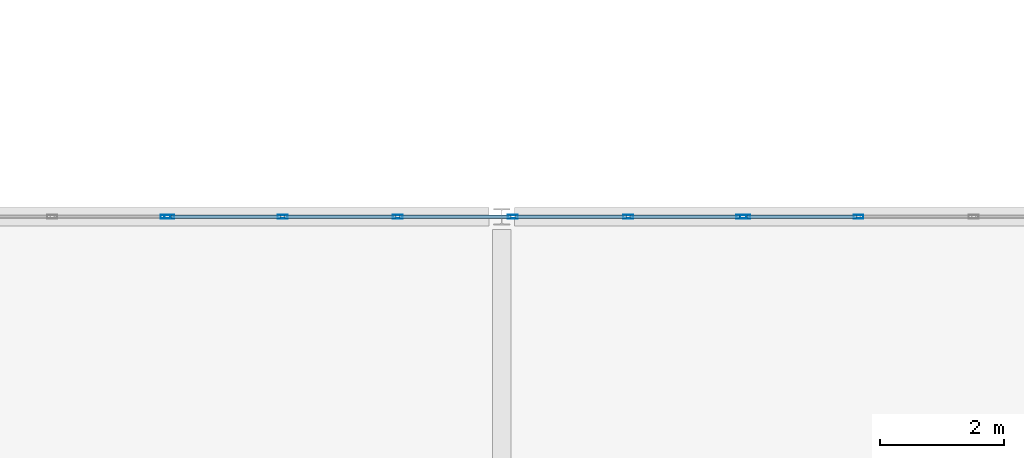
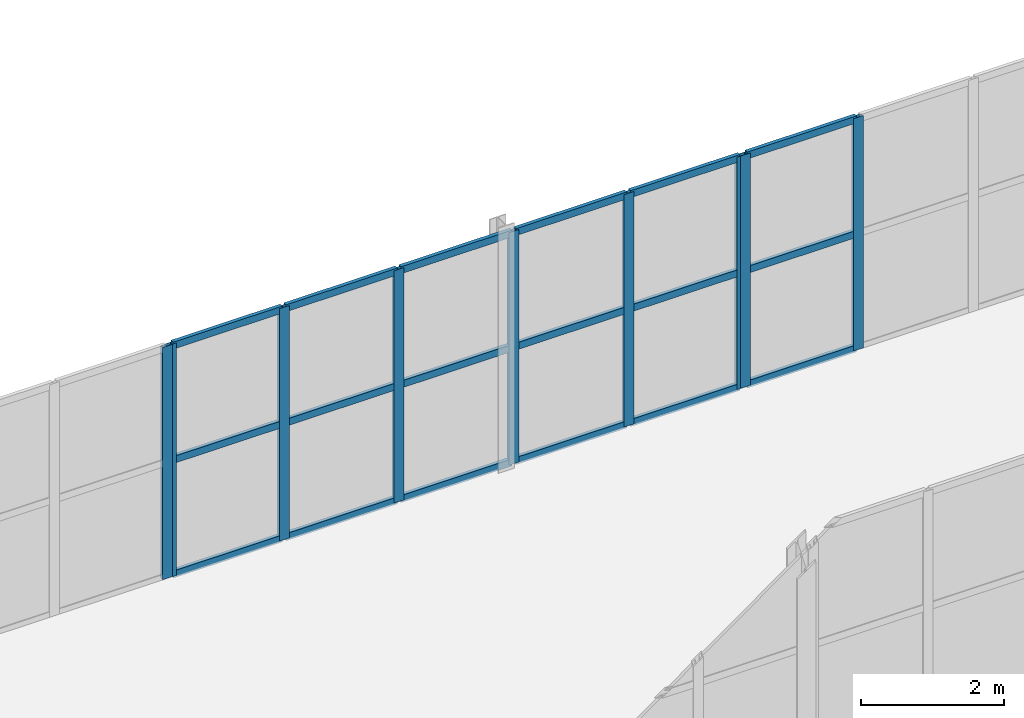
# One storey, part 63 of 121: 27 members, 3 elements without a shape of their own.
"""IFC4 building model written with IfcOpenShell, lengths in metres."""

from ifc_helpers import new_model, si_unit, direction, frame, origin, origin_2d, place, context, subcontext, project, spatial, hollow_rectangle, extrude, material, layer, layer_set, material_profile, profile_set, type_object, element, aggregate, save


model = new_model("IFC4")

# Units and contexts
model_context = context("Model", 3, precision=1e-05, world=origin(), true_north=direction((0.0, 1.0)))
body_context = subcontext(model_context, "Body", "Model", "MODEL_VIEW")
ifc_project = project(units=[si_unit("LENGTHUNIT", "METRE"), si_unit("AREAUNIT", "SQUARE_METRE"), si_unit("VOLUMEUNIT", "CUBIC_METRE"), si_unit("PLANEANGLEUNIT", "RADIAN"), si_unit("MASSUNIT", "GRAM", prefix="KILO")], contexts=[model_context])

# Site, building, storey
site_placement = place(None, origin())
site = spatial("IfcSite", under=ifc_project, at=site_placement, CompositionType="ELEMENT")
building_placement = place(site_placement, origin())
building = spatial("IfcBuilding", under=site, at=building_placement, Name="Vinh Khe Railworks Police Headquarters", CompositionType="ELEMENT")
storey_placement = place(building_placement, frame((0.0, 0.0, 4.800048828125)))
storey = spatial("IfcBuildingStorey", under=building, at=storey_placement, Name="L01", CompositionType="ELEMENT", Elevation=4.800048828125)

# Curtain wall, member
ifc_material_1 = material(Name="Anodised aluminium and solar-control glass", Category="aluminium")
ifc_layer = layer(ifc_material_1, 0.159912109375)
ifc_layer_set = layer_set([ifc_layer], Name="Anodised aluminium and solar-control glass")
curtain_wall_type = type_object("IfcCurtainWallType", Name="CW-SHOPFRONT", PredefinedType="USERDEFINED", material=ifc_layer_set)
curtain_wall_1_placement = place(storey_placement, origin())
curtain_wall_1 = element("IfcCurtainWall", 1, at=curtain_wall_1_placement, inside=storey, type_object=curtain_wall_type, Name="Link Bridge North Glazing L01 Bay 2", ObjectType="UNITISED GLAZING", PredefinedType="USERDEFINED")
ifc_material_2 = material(Name="Anodised aluminium 6063-T6", Category="aluminium")
ifc_material_profile_1 = material_profile(ifc_material_2, hollow_rectangle(XDim=0.06005859375, YDim=0.159912109375, WallThickness=0.00390625, at=origin_2d()), Name="CW-M 60x160x4")
ifc_profile_set_1 = profile_set([ifc_material_profile_1], Name="Anodised aluminium 6063-T6")
member_type_1 = type_object("IfcMemberType", Name="MULL-CWM-01", PredefinedType="MULLION", material=ifc_profile_set_1)
member_1_placement = place(storey_placement, frame((40.77001953125, 104.39990234375, 0.0), z_axis=(0.0, 0.0, 1.0), x_axis=(0.0, 1.0, 0.0)))
member_1 = element("IfcMember", 2, at=member_1_placement, type_object=member_type_1, Name="CW-03 mullion 6", PredefinedType="MULLION", context=body_context, shape_type="SweptSolid", body=[
    extrude(hollow_rectangle(XDim=0.06005859375, YDim=0.159912109375, WallThickness=0.00390625, at=origin_2d()), origin(), (0.0, 0.0, 1.0), 3.97998046875),
])
aggregate(curtain_wall_1, [member_1])

# Curtain wall, members
curtain_wall_2_placement = place(storey_placement, origin())
curtain_wall_2 = element("IfcCurtainWall", 3, at=curtain_wall_2_placement, inside=storey, type_object=curtain_wall_type, Name="Link Bridge North Glazing L01 Bay 3", ObjectType="UNITISED GLAZING", PredefinedType="USERDEFINED")
member_2_placement = place(storey_placement, frame((40.830078125, 104.39990234375, 0.0), z_axis=(0.0, 0.0, 1.0), x_axis=(0.0, 1.0, 0.0)))
member_2 = element("IfcMember", 4, at=member_2_placement, type_object=member_type_1, Name="CW-03 mullion 1", PredefinedType="MULLION", context=body_context, shape_type="SweptSolid", body=[
    extrude(hollow_rectangle(XDim=0.06005859375, YDim=0.159912109375, WallThickness=0.00390625, at=origin_2d()), origin(), (0.0, 0.0, 1.0), 3.97998046875),
])
member_3_placement = place(storey_placement, frame((42.659912109375, 104.39990234375, 0.0), z_axis=(0.0, 0.0, 1.0), x_axis=(0.0, 1.0, 0.0)))
member_3 = element("IfcMember", 5, at=member_3_placement, type_object=member_type_1, Name="CW-03 mullion 2", PredefinedType="MULLION", context=body_context, shape_type="SweptSolid", body=[
    extrude(hollow_rectangle(XDim=0.06005859375, YDim=0.159912109375, WallThickness=0.00390625, at=origin_2d()), origin(), (0.0, 0.0, 1.0), 3.97998046875),
])
member_4_placement = place(storey_placement, frame((44.52001953125, 104.39990234375, 0.0), z_axis=(0.0, 0.0, 1.0), x_axis=(0.0, 1.0, 0.0)))
member_4 = element("IfcMember", 6, at=member_4_placement, type_object=member_type_1, Name="CW-03 mullion 3", PredefinedType="MULLION", context=body_context, shape_type="SweptSolid", body=[
    extrude(hollow_rectangle(XDim=0.06005859375, YDim=0.159912109375, WallThickness=0.00390625, at=origin_2d()), origin(), (0.0, 0.0, 1.0), 3.97998046875),
])
member_5_placement = place(storey_placement, frame((46.3798828125, 104.39990234375, 0.0), z_axis=(0.0, 0.0, 1.0), x_axis=(0.0, 1.0, 0.0)))
member_5 = element("IfcMember", 7, at=member_5_placement, type_object=member_type_1, Name="CW-03 mullion 4", PredefinedType="MULLION", context=body_context, shape_type="SweptSolid", body=[
    extrude(hollow_rectangle(XDim=0.06005859375, YDim=0.159912109375, WallThickness=0.00390625, at=origin_2d()), origin(), (0.0, 0.0, 1.0), 3.97998046875),
])
member_6_placement = place(storey_placement, frame((48.239990234375, 104.39990234375, 0.0), z_axis=(0.0, 0.0, 1.0), x_axis=(0.0, 1.0, 0.0)))
member_6 = element("IfcMember", 8, at=member_6_placement, type_object=member_type_1, Name="CW-03 mullion 5", PredefinedType="MULLION", context=body_context, shape_type="SweptSolid", body=[
    extrude(hollow_rectangle(XDim=0.06005859375, YDim=0.159912109375, WallThickness=0.00390625, at=origin_2d()), origin(), (0.0, 0.0, 1.0), 3.97998046875),
])
member_7_placement = place(storey_placement, frame((50.070068359375, 104.39990234375, 0.0), z_axis=(0.0, 0.0, 1.0), x_axis=(0.0, 1.0, 0.0)))
member_7 = element("IfcMember", 9, at=member_7_placement, type_object=member_type_1, Name="CW-03 mullion 6", PredefinedType="MULLION", context=body_context, shape_type="SweptSolid", body=[
    extrude(hollow_rectangle(XDim=0.06005859375, YDim=0.159912109375, WallThickness=0.00390625, at=origin_2d()), origin(), (0.0, 0.0, 1.0), 3.97998046875),
])

curtain_wall_3_placement = place(storey_placement, origin())
curtain_wall_3 = element("IfcCurtainWall", 10, at=curtain_wall_3_placement, inside=storey, type_object=curtain_wall_type, Name="Link Bridge North Glazing L01 Bay 4", ObjectType="UNITISED GLAZING", PredefinedType="USERDEFINED")
member_8_placement = place(storey_placement, frame((50.1298828125, 104.39990234375, 0.0), z_axis=(0.0, 0.0, 1.0), x_axis=(0.0, 1.0, 0.0)))
member_8 = element("IfcMember", 11, at=member_8_placement, type_object=member_type_1, Name="CW-03 mullion 1", PredefinedType="MULLION", context=body_context, shape_type="SweptSolid", body=[
    extrude(hollow_rectangle(XDim=0.06005859375, YDim=0.159912109375, WallThickness=0.00390625, at=origin_2d()), origin(), (0.0, 0.0, 1.0), 3.97998046875),
])
member_9_placement = place(storey_placement, frame((51.9599609375, 104.39990234375, 0.0), z_axis=(0.0, 0.0, 1.0), x_axis=(0.0, 1.0, 0.0)))
member_9 = element("IfcMember", 12, at=member_9_placement, type_object=member_type_1, Name="CW-03 mullion 2", PredefinedType="MULLION", context=body_context, shape_type="SweptSolid", body=[
    extrude(hollow_rectangle(XDim=0.06005859375, YDim=0.159912109375, WallThickness=0.00390625, at=origin_2d()), origin(), (0.0, 0.0, 1.0), 3.97998046875),
])

# Member
ifc_material_profile_2 = material_profile(ifc_material_2, hollow_rectangle(XDim=0.06005859375, YDim=0.1201171875, WallThickness=0.00390625, at=origin_2d()), Name="CW-T 60x120x4")
ifc_profile_set_2 = profile_set([ifc_material_profile_2], Name="Anodised aluminium 6063-T6")
member_type_2 = type_object("IfcMemberType", Name="TRAN-CWT-01", PredefinedType="USERDEFINED", material=ifc_profile_set_2)
member_10_placement = place(storey_placement, frame((40.860107421875, 104.39990234375, 0.030029296875), z_axis=(1.0, 0.0, 0.0), x_axis=(0.0, 1.0, 0.0)))
member_10 = element("IfcMember", 13, at=member_10_placement, type_object=member_type_2, Name="CW-03 transom 1.1", ObjectType="TRANSOM", PredefinedType="USERDEFINED", context=body_context, shape_type="SweptSolid", body=[
    extrude(hollow_rectangle(XDim=0.06005859375, YDim=0.1201171875, WallThickness=0.00390625, at=origin_2d()), origin(), (0.0, 0.0, 1.0), 1.769775390625),
])

member_11_placement = place(storey_placement, frame((40.860107421875, 104.39990234375, 1.989990234375), z_axis=(1.0, 0.0, 0.0), x_axis=(0.0, 1.0, 0.0)))
member_11 = element("IfcMember", 14, at=member_11_placement, type_object=member_type_2, Name="CW-03 transom 1.2", ObjectType="TRANSOM", PredefinedType="USERDEFINED", context=body_context, shape_type="SweptSolid", body=[
    extrude(hollow_rectangle(XDim=0.06005859375, YDim=0.1201171875, WallThickness=0.00390625, at=origin_2d()), origin(), (0.0, 0.0, 1.0), 1.769775390625),
])

member_12_placement = place(storey_placement, frame((40.860107421875, 104.39990234375, 3.949951171875), z_axis=(1.0, 0.0, 0.0), x_axis=(0.0, 1.0, 0.0)))
member_12 = element("IfcMember", 15, at=member_12_placement, type_object=member_type_2, Name="CW-03 transom 1.3", ObjectType="TRANSOM", PredefinedType="USERDEFINED", context=body_context, shape_type="SweptSolid", body=[
    extrude(hollow_rectangle(XDim=0.06005859375, YDim=0.1201171875, WallThickness=0.00390625, at=origin_2d()), origin(), (0.0, 0.0, 1.0), 1.769775390625),
])

member_13_placement = place(storey_placement, frame((42.68994140625, 104.39990234375, 0.030029296875), z_axis=(1.0, 0.0, 0.0), x_axis=(0.0, 1.0, 0.0)))
member_13 = element("IfcMember", 16, at=member_13_placement, type_object=member_type_2, Name="CW-03 transom 2.1", ObjectType="TRANSOM", PredefinedType="USERDEFINED", context=body_context, shape_type="SweptSolid", body=[
    extrude(hollow_rectangle(XDim=0.06005859375, YDim=0.1201171875, WallThickness=0.00390625, at=origin_2d()), origin(), (0.0, 0.0, 1.0), 1.800048828125),
])

member_14_placement = place(storey_placement, frame((42.68994140625, 104.39990234375, 1.989990234375), z_axis=(1.0, 0.0, 0.0), x_axis=(0.0, 1.0, 0.0)))
member_14 = element("IfcMember", 17, at=member_14_placement, type_object=member_type_2, Name="CW-03 transom 2.2", ObjectType="TRANSOM", PredefinedType="USERDEFINED", context=body_context, shape_type="SweptSolid", body=[
    extrude(hollow_rectangle(XDim=0.06005859375, YDim=0.1201171875, WallThickness=0.00390625, at=origin_2d()), origin(), (0.0, 0.0, 1.0), 1.800048828125),
])

member_15_placement = place(storey_placement, frame((42.68994140625, 104.39990234375, 3.949951171875), z_axis=(1.0, 0.0, 0.0), x_axis=(0.0, 1.0, 0.0)))
member_15 = element("IfcMember", 18, at=member_15_placement, type_object=member_type_2, Name="CW-03 transom 2.3", ObjectType="TRANSOM", PredefinedType="USERDEFINED", context=body_context, shape_type="SweptSolid", body=[
    extrude(hollow_rectangle(XDim=0.06005859375, YDim=0.1201171875, WallThickness=0.00390625, at=origin_2d()), origin(), (0.0, 0.0, 1.0), 1.800048828125),
])

member_16_placement = place(storey_placement, frame((44.550048828125, 104.39990234375, 0.030029296875), z_axis=(1.0, 0.0, 0.0), x_axis=(0.0, 1.0, 0.0)))
member_16 = element("IfcMember", 19, at=member_16_placement, type_object=member_type_2, Name="CW-03 transom 3.1", ObjectType="TRANSOM", PredefinedType="USERDEFINED", context=body_context, shape_type="SweptSolid", body=[
    extrude(hollow_rectangle(XDim=0.06005859375, YDim=0.1201171875, WallThickness=0.00390625, at=origin_2d()), origin(), (0.0, 0.0, 1.0), 1.800048828125),
])

member_17_placement = place(storey_placement, frame((44.550048828125, 104.39990234375, 1.989990234375), z_axis=(1.0, 0.0, 0.0), x_axis=(0.0, 1.0, 0.0)))
member_17 = element("IfcMember", 20, at=member_17_placement, type_object=member_type_2, Name="CW-03 transom 3.2", ObjectType="TRANSOM", PredefinedType="USERDEFINED", context=body_context, shape_type="SweptSolid", body=[
    extrude(hollow_rectangle(XDim=0.06005859375, YDim=0.1201171875, WallThickness=0.00390625, at=origin_2d()), origin(), (0.0, 0.0, 1.0), 1.800048828125),
])

member_18_placement = place(storey_placement, frame((44.550048828125, 104.39990234375, 3.949951171875), z_axis=(1.0, 0.0, 0.0), x_axis=(0.0, 1.0, 0.0)))
member_18 = element("IfcMember", 21, at=member_18_placement, type_object=member_type_2, Name="CW-03 transom 3.3", ObjectType="TRANSOM", PredefinedType="USERDEFINED", context=body_context, shape_type="SweptSolid", body=[
    extrude(hollow_rectangle(XDim=0.06005859375, YDim=0.1201171875, WallThickness=0.00390625, at=origin_2d()), origin(), (0.0, 0.0, 1.0), 1.800048828125),
])

member_19_placement = place(storey_placement, frame((46.409912109375, 104.39990234375, 0.030029296875), z_axis=(1.0, 0.0, 0.0), x_axis=(0.0, 1.0, 0.0)))
member_19 = element("IfcMember", 22, at=member_19_placement, type_object=member_type_2, Name="CW-03 transom 4.1", ObjectType="TRANSOM", PredefinedType="USERDEFINED", context=body_context, shape_type="SweptSolid", body=[
    extrude(hollow_rectangle(XDim=0.06005859375, YDim=0.1201171875, WallThickness=0.00390625, at=origin_2d()), origin(), (0.0, 0.0, 1.0), 1.800048828125),
])

member_20_placement = place(storey_placement, frame((46.409912109375, 104.39990234375, 1.989990234375), z_axis=(1.0, 0.0, 0.0), x_axis=(0.0, 1.0, 0.0)))
member_20 = element("IfcMember", 23, at=member_20_placement, type_object=member_type_2, Name="CW-03 transom 4.2", ObjectType="TRANSOM", PredefinedType="USERDEFINED", context=body_context, shape_type="SweptSolid", body=[
    extrude(hollow_rectangle(XDim=0.06005859375, YDim=0.1201171875, WallThickness=0.00390625, at=origin_2d()), origin(), (0.0, 0.0, 1.0), 1.800048828125),
])

member_21_placement = place(storey_placement, frame((46.409912109375, 104.39990234375, 3.949951171875), z_axis=(1.0, 0.0, 0.0), x_axis=(0.0, 1.0, 0.0)))
member_21 = element("IfcMember", 24, at=member_21_placement, type_object=member_type_2, Name="CW-03 transom 4.3", ObjectType="TRANSOM", PredefinedType="USERDEFINED", context=body_context, shape_type="SweptSolid", body=[
    extrude(hollow_rectangle(XDim=0.06005859375, YDim=0.1201171875, WallThickness=0.00390625, at=origin_2d()), origin(), (0.0, 0.0, 1.0), 1.800048828125),
])

member_22_placement = place(storey_placement, frame((48.27001953125, 104.39990234375, 0.030029296875), z_axis=(1.0, 0.0, 0.0), x_axis=(0.0, 1.0, 0.0)))
member_22 = element("IfcMember", 25, at=member_22_placement, type_object=member_type_2, Name="CW-03 transom 5.1", ObjectType="TRANSOM", PredefinedType="USERDEFINED", context=body_context, shape_type="SweptSolid", body=[
    extrude(hollow_rectangle(XDim=0.06005859375, YDim=0.1201171875, WallThickness=0.00390625, at=origin_2d()), origin(), (0.0, 0.0, 1.0), 1.77001953125),
])

member_23_placement = place(storey_placement, frame((48.27001953125, 104.39990234375, 1.989990234375), z_axis=(1.0, 0.0, 0.0), x_axis=(0.0, 1.0, 0.0)))
member_23 = element("IfcMember", 26, at=member_23_placement, type_object=member_type_2, Name="CW-03 transom 5.2", ObjectType="TRANSOM", PredefinedType="USERDEFINED", context=body_context, shape_type="SweptSolid", body=[
    extrude(hollow_rectangle(XDim=0.06005859375, YDim=0.1201171875, WallThickness=0.00390625, at=origin_2d()), origin(), (0.0, 0.0, 1.0), 1.77001953125),
])

member_24_placement = place(storey_placement, frame((48.27001953125, 104.39990234375, 3.949951171875), z_axis=(1.0, 0.0, 0.0), x_axis=(0.0, 1.0, 0.0)))
member_24 = element("IfcMember", 27, at=member_24_placement, type_object=member_type_2, Name="CW-03 transom 5.3", ObjectType="TRANSOM", PredefinedType="USERDEFINED", context=body_context, shape_type="SweptSolid", body=[
    extrude(hollow_rectangle(XDim=0.06005859375, YDim=0.1201171875, WallThickness=0.00390625, at=origin_2d()), origin(), (0.0, 0.0, 1.0), 1.77001953125),
])

aggregate(curtain_wall_2, [member_2, member_3, member_4, member_5, member_6, member_7, member_10, member_11, member_12, member_13, member_14, member_15, member_16, member_17, member_18, member_19, member_20, member_21, member_22, member_23, member_24])

member_25_placement = place(storey_placement, frame((50.159912109375, 104.39990234375, 0.030029296875), z_axis=(1.0, 0.0, 0.0), x_axis=(0.0, 1.0, 0.0)))
member_25 = element("IfcMember", 28, at=member_25_placement, type_object=member_type_2, Name="CW-03 transom 1.1", ObjectType="TRANSOM", PredefinedType="USERDEFINED", context=body_context, shape_type="SweptSolid", body=[
    extrude(hollow_rectangle(XDim=0.06005859375, YDim=0.1201171875, WallThickness=0.00390625, at=origin_2d()), origin(), (0.0, 0.0, 1.0), 1.77001953125),
])

member_26_placement = place(storey_placement, frame((50.159912109375, 104.39990234375, 1.989990234375), z_axis=(1.0, 0.0, 0.0), x_axis=(0.0, 1.0, 0.0)))
member_26 = element("IfcMember", 29, at=member_26_placement, type_object=member_type_2, Name="CW-03 transom 1.2", ObjectType="TRANSOM", PredefinedType="USERDEFINED", context=body_context, shape_type="SweptSolid", body=[
    extrude(hollow_rectangle(XDim=0.06005859375, YDim=0.1201171875, WallThickness=0.00390625, at=origin_2d()), origin(), (0.0, 0.0, 1.0), 1.77001953125),
])

member_27_placement = place(storey_placement, frame((50.159912109375, 104.39990234375, 3.949951171875), z_axis=(1.0, 0.0, 0.0), x_axis=(0.0, 1.0, 0.0)))
member_27 = element("IfcMember", 30, at=member_27_placement, type_object=member_type_2, Name="CW-03 transom 1.3", ObjectType="TRANSOM", PredefinedType="USERDEFINED", context=body_context, shape_type="SweptSolid", body=[
    extrude(hollow_rectangle(XDim=0.06005859375, YDim=0.1201171875, WallThickness=0.00390625, at=origin_2d()), origin(), (0.0, 0.0, 1.0), 1.77001953125),
])

aggregate(curtain_wall_3, [member_8, member_9, member_25, member_26, member_27])

save(model, "model.ifc")
